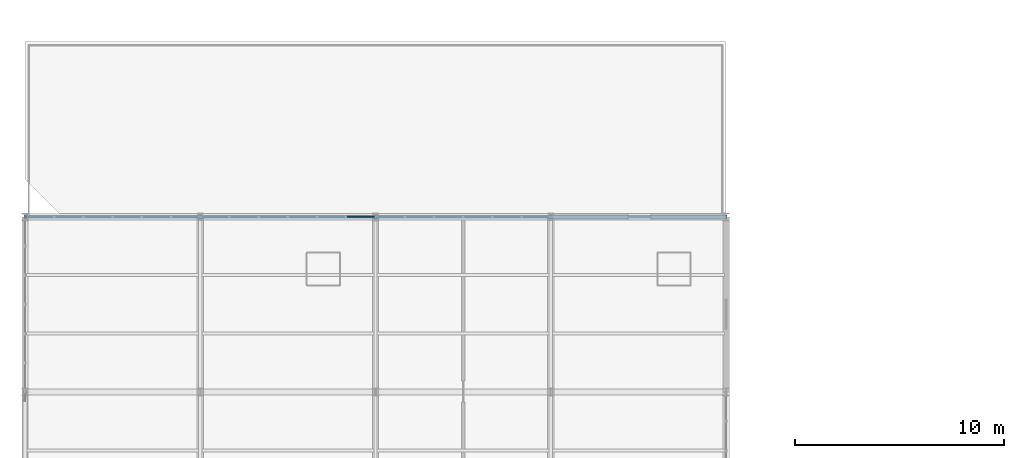
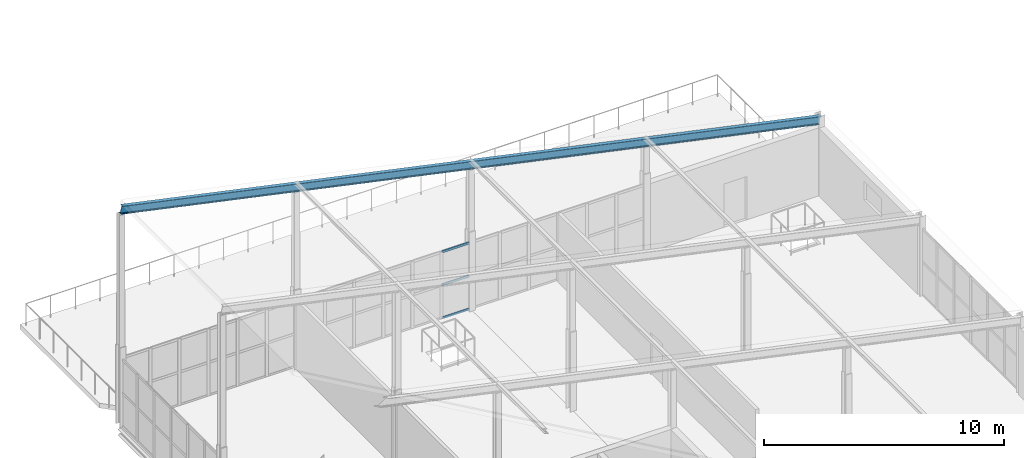
# One storey, part 110 of 184: 3 members, 1 beam, 1 element without a shape of its own.
"""IFC4 building model written with IfcOpenShell, lengths in metres."""

from ifc_helpers import new_model, si_unit, direction, frame, origin, origin_2d, place, context, subcontext, project, spatial, hollow_rectangle, i_section, extrude, material, layer, layer_set, material_profile, profile_set, type_object, element, aggregate, save


model = new_model("IFC4")

# Units and contexts
model_context = context("Model", 3, precision=1e-05, world=origin(), true_north=direction((0.0, 1.0)))
body_context = subcontext(model_context, "Body", "Model", "MODEL_VIEW")
ifc_project = project(units=[si_unit("LENGTHUNIT", "METRE"), si_unit("AREAUNIT", "SQUARE_METRE"), si_unit("VOLUMEUNIT", "CUBIC_METRE"), si_unit("PLANEANGLEUNIT", "RADIAN"), si_unit("MASSUNIT", "GRAM", prefix="KILO")], contexts=[model_context])

# Site, building, storey
site_placement = place(None, origin())
site = spatial("IfcSite", under=ifc_project, at=site_placement, CompositionType="ELEMENT")
building_placement = place(site_placement, origin())
building = spatial("IfcBuilding", under=site, at=building_placement, Name="Qalvenar Corner Mobility Hub", CompositionType="ELEMENT")
storey_placement = place(building_placement, frame((0.0, 0.0, 9.0)))
storey = spatial("IfcBuildingStorey", under=building, at=storey_placement, Name="L02", CompositionType="ELEMENT", Elevation=9.0)

# Beam
ifc_material_1 = material(Name="Steel S355", Category="steel")
ifc_material_profile_1 = material_profile(ifc_material_1, i_section(OverallWidth=0.179931640625, OverallDepth=0.39990234375, WebThickness=0.008544921875, FlangeThickness=0.013427734375, FilletRadius=0.02099609375, at=origin_2d()), Name="IPE400")
ifc_profile_set_1 = profile_set([ifc_material_profile_1], Name="Steel S355")
beam_type = type_object("IfcBeamType", Name="BM-IPE400", PredefinedType="BEAM", material=ifc_profile_set_1)
beam_placement = place(storey_placement, frame((0.0, 84.0, 10.93994140625), z_axis=(0.977802829965, 0.0, -0.209527147912), x_axis=(0.0, 1.0, 0.0)))
element("IfcBeam", 1, at=beam_placement, inside=storey, type_object=beam_type, Name="Bicycle Hall Rafter V5RF-6", PredefinedType="BEAM", context=body_context, shape_type="SweptSolid", body=[
    extrude(i_section(OverallWidth=0.179931640625, OverallDepth=0.39990234375, WebThickness=0.008544921875, FlangeThickness=0.013427734375, FilletRadius=0.02099609375, at=origin_2d()), origin(), (0.0, 0.0, 1.0), 34.36279296875),
])

# Curtain wall, members
ifc_material_2 = material(Name="Anodised Aluminium and Low-E Glazing", Category="aluminium")
ifc_layer = layer(ifc_material_2, 0.14990234375)
ifc_layer_set = layer_set([ifc_layer], Name="Anodised Aluminium and Low-E Glazing")
curtain_wall_type = type_object("IfcCurtainWallType", Name="CW-CYC-84X39", PredefinedType="NOTDEFINED", material=ifc_layer_set)
curtain_wall_placement = place(storey_placement, origin())
curtain_wall = element("IfcCurtainWall", 2, at=curtain_wall_placement, inside=storey, type_object=curtain_wall_type, Name="Glazed Curtain Wall CW-V5-L02-N1", PredefinedType="NOTDEFINED")
ifc_material_3 = material(Name="Anodised Aluminium 6063-T6", Category="aluminium")
ifc_material_profile_2 = material_profile(ifc_material_3, hollow_rectangle(XDim=0.054931640625, YDim=0.1201171875, WallThickness=0.00341796875, InnerFilletRadius=0.00341796875, OuterFilletRadius=0.007080078125, at=origin_2d()), Name="RHS120x55x3.5")
ifc_profile_set_2 = profile_set([ifc_material_profile_2], Name="Anodised Aluminium 6063-T6")
member_type = type_object("IfcMemberType", Name="CW-TRN120", PredefinedType="USERDEFINED", material=ifc_profile_set_2)
member_1_placement = place(storey_placement, frame((16.739990234375, 84.0, 0.027587890625), z_axis=(-1.0, 0.0, 0.0), x_axis=(0.0, -1.0, 0.0)))
member_1 = element("IfcMember", 3, at=member_1_placement, type_object=member_type, Name="CW-08 transom 1.1", ObjectType="TRANSOM", PredefinedType="USERDEFINED", context=body_context, shape_type="SweptSolid", body=[
    extrude(hollow_rectangle(XDim=0.054931640625, YDim=0.1201171875, WallThickness=0.00341796875, InnerFilletRadius=0.00341796875, OuterFilletRadius=0.007080078125, at=origin_2d()), origin(), (0.0, 0.0, 1.0), 1.31005859375),
])
member_2_placement = place(storey_placement, frame((16.739990234375, 84.0, 1.705078125), z_axis=(-1.0, 0.0, 0.0), x_axis=(0.0, -1.0, 0.0)))
member_2 = element("IfcMember", 4, at=member_2_placement, type_object=member_type, Name="CW-08 transom 1.2", ObjectType="TRANSOM", PredefinedType="USERDEFINED", context=body_context, shape_type="SweptSolid", body=[
    extrude(hollow_rectangle(XDim=0.054931640625, YDim=0.1201171875, WallThickness=0.00341796875, InnerFilletRadius=0.00341796875, OuterFilletRadius=0.007080078125, at=origin_2d()), origin(), (0.0, 0.0, 1.0), 1.31005859375),
])
member_3_placement = place(storey_placement, frame((16.739990234375, 84.0, 3.382568359375), z_axis=(-1.0, 0.0, 0.0), x_axis=(0.0, -1.0, 0.0)))
member_3 = element("IfcMember", 5, at=member_3_placement, type_object=member_type, Name="CW-08 transom 1.3", ObjectType="TRANSOM", PredefinedType="USERDEFINED", context=body_context, shape_type="SweptSolid", body=[
    extrude(hollow_rectangle(XDim=0.054931640625, YDim=0.1201171875, WallThickness=0.00341796875, InnerFilletRadius=0.00341796875, OuterFilletRadius=0.007080078125, at=origin_2d()), origin(), (0.0, 0.0, 1.0), 1.31005859375),
])
aggregate(curtain_wall, [member_1, member_2, member_3])

save(model, "model.ifc")
